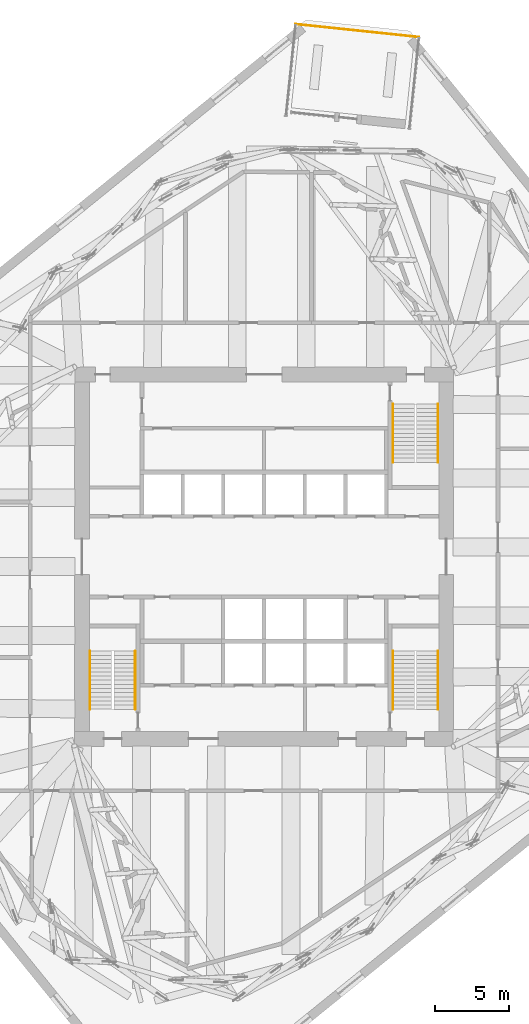
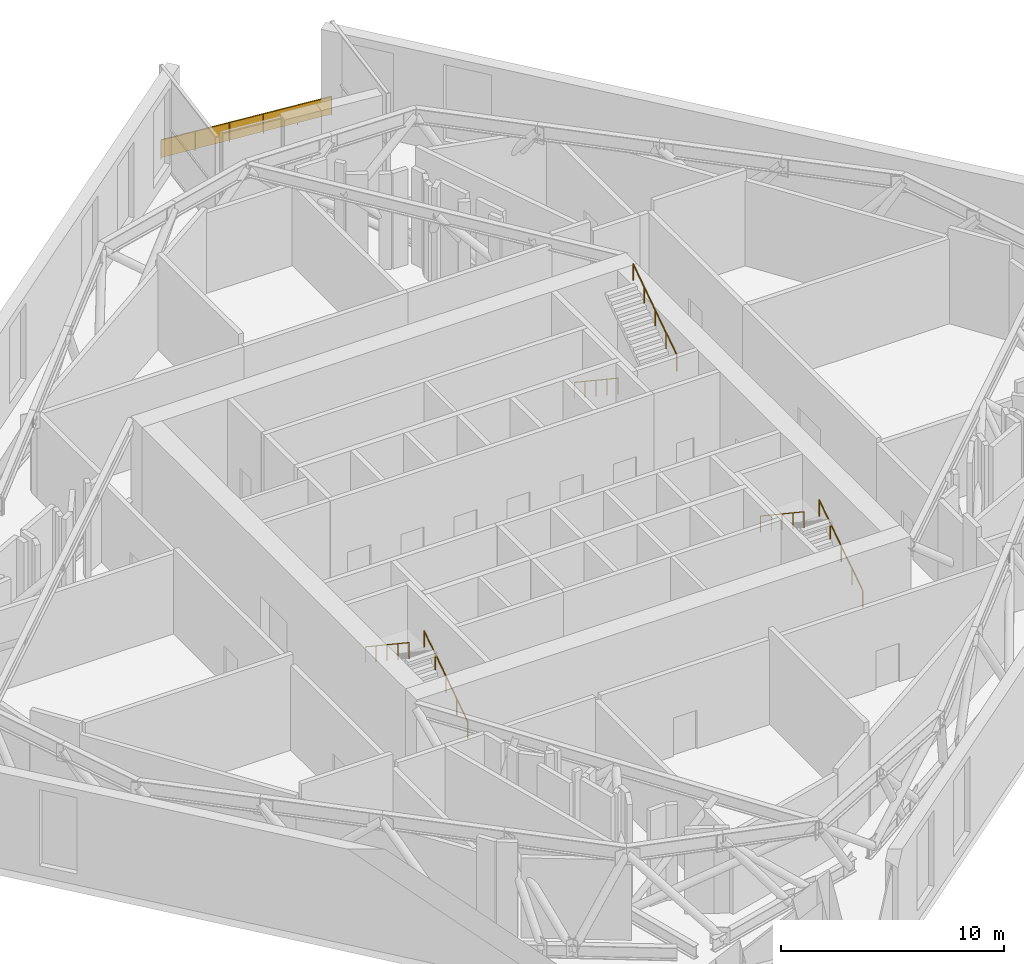
# One storey, part 16 of 17: 7 railings.
"""IFC4 building model written with IfcOpenShell, lengths in metres."""

import ifcopenshell
import ifcopenshell.guid

model = None  # the IFC model being written
_history = None  # IfcOwnerHistory: only IFC2X3 demands one
_inside = {}  # id of a spatial element -> (the spatial element, [elements in it])
_under = {}  # id of a project, library or spatial element -> (it, [spatial elements below it])
_declared = {}  # id of a project -> (the project, [libraries it declares])
_typed = {}  # id of a type object -> (the type object, [elements of that type])
_made_of = {}  # id of a material, layer set ... -> (it, [elements and type objects made of it])


def new_model(schema):
    """Start an empty IFC model of exactly this schema.

    Asked for "IFC4X3", IfcOpenShell would pick the latest addendum, in which some entities
    have other attributes; the version numbers below select the first issue.
    IFC2X3 requires an IfcOwnerHistory on every rooted entity: one is made here for all.
    """
    global model, _history
    if schema == "IFC4X3":
        model = ifcopenshell.file(schema_version=(4, 3, 0, 0))
    else:
        model = ifcopenshell.file(schema=schema)
    _inside.clear()
    _under.clear()
    _declared.clear()
    _typed.clear()
    _made_of.clear()
    _history = None
    if model.schema == "IFC2X3":
        org = make("IfcOrganization", Name="unknown")
        user = make(
            "IfcPersonAndOrganization",
            ThePerson=make("IfcPerson", FamilyName="unknown"),
            TheOrganization=org,
        )
        app = make(
            "IfcApplication",
            ApplicationDeveloper=org,
            Version="unknown",
            ApplicationFullName="unknown",
            ApplicationIdentifier="unknown",
        )
        _history = make(
            "IfcOwnerHistory",
            OwningUser=user,
            OwningApplication=app,
            ChangeAction="ADDED",
            CreationDate=0,
        )
    return model


def make(cls, **values):
    """One entity of the class cls with the attributes given. An attribute that is None is left unset."""
    return model.create_entity(
        cls, **{name: value for name, value in values.items() if value is not None}
    )


def rooted(cls, **values):
    """An entity with a GlobalId (a new one), such as an element, a storey or a relation."""
    return make(cls, GlobalId=ifcopenshell.guid.new(), OwnerHistory=_history, **values)


def si_unit(unit_type, name, prefix=None):
    """IfcSIUnit, for example si_unit("LENGTHUNIT", "METRE", prefix="MILLI")."""
    return make("IfcSIUnit", UnitType=unit_type, Prefix=prefix, Name=name)


def assignment(units):
    """IfcUnitAssignment: the units of a project."""
    return None if units is None else make("IfcUnitAssignment", Units=units)


def point(xyz):
    """IfcCartesianPoint."""
    return None if xyz is None else make("IfcCartesianPoint", Coordinates=xyz)


def direction(xyz):
    """IfcDirection."""
    return None if xyz is None else make("IfcDirection", DirectionRatios=xyz)


def frame(location, z_axis=None, x_axis=None):
    """IfcAxis2Placement3D, a coordinate frame: its origin and axes. An axis left out is left unset."""
    return make(
        "IfcAxis2Placement3D",
        Location=point(location),
        Axis=direction(z_axis),
        RefDirection=direction(x_axis),
    )


def frame_2d(location, x_axis=None):
    """IfcAxis2Placement2D, a coordinate frame in the plane: its origin and x axis."""
    return make(
        "IfcAxis2Placement2D", Location=point(location), RefDirection=direction(x_axis)
    )


def origin():
    """The frame at (0, 0, 0) with its axes left unset."""
    return frame((0.0, 0.0, 0.0))


def origin_2d():
    """The frame at (0, 0) in the plane with its x axis left unset."""
    return frame_2d((0.0, 0.0))


def place(relative_to, where):
    """IfcLocalPlacement: puts the frame where relative to a parent placement (None: the world)."""
    return make(
        "IfcLocalPlacement", PlacementRelTo=relative_to, RelativePlacement=where
    )


def context(
    kind, dimensions, precision=None, world=None, true_north=None, identifier=None
):
    """IfcGeometricRepresentationContext, for example the 3D "Model" context."""
    return make(
        "IfcGeometricRepresentationContext",
        ContextIdentifier=identifier,
        ContextType=kind,
        CoordinateSpaceDimension=dimensions,
        Precision=precision,
        WorldCoordinateSystem=world,
        TrueNorth=true_north,
    )


def subcontext(parent, identifier, kind, view, scale=None):
    """IfcGeometricRepresentationSubContext, for example "Body" below "Model"."""
    return make(
        "IfcGeometricRepresentationSubContext",
        ContextIdentifier=identifier,
        ContextType=kind,
        ParentContext=parent,
        TargetScale=scale,
        TargetView=view,
    )


def project(units=None, contexts=None):
    """IfcProject with its units and contexts."""
    return rooted(
        "IfcProject",
        Name="project",
        RepresentationContexts=contexts,
        UnitsInContext=assignment(units),
    )


def spatial(cls, under=None, at=None, **own):
    """A site, building, storey or space (cls), placed at a placement, below another one or the project."""
    s = rooted(cls, ObjectPlacement=at, **own)
    if under is not None:
        _under.setdefault(under.id(), (under, []))[1].append(s)
    return s


def profile(cls, at=None, kind="AREA", **sizes):
    """A parametric profile (cls). Its sizes go by their IFC names, for example OverallWidth=200.0."""
    return make(cls, ProfileType=kind, Position=at, **sizes)


def rectangle(**sizes):
    """IfcRectangleProfileDef."""
    return profile("IfcRectangleProfileDef", **sizes)


def circle(**sizes):
    """IfcCircleProfileDef."""
    return profile("IfcCircleProfileDef", **sizes)


def extrude(swept, where, along, depth):
    """IfcExtrudedAreaSolid: the profile swept, set in the frame where, extruded along a direction by depth."""
    return make(
        "IfcExtrudedAreaSolid",
        SweptArea=swept,
        Position=where,
        ExtrudedDirection=direction(along),
        Depth=depth,
    )


def shape(context_of_items, identifier, shape_type, items):
    """IfcShapeRepresentation: the items that make up one representation, for example the "Body"."""
    return make(
        "IfcShapeRepresentation",
        ContextOfItems=context_of_items,
        RepresentationIdentifier=identifier,
        RepresentationType=shape_type,
        Items=items,
    )


def material(Name=None, Category=None):
    """IfcMaterial."""
    return make("IfcMaterial", Name=Name, Category=Category)


def made_of(thing, what):
    """Note that an element or type object is made of a material, layer set ...; save() writes the relation."""
    if what is not None:
        _made_of.setdefault(what.id(), (what, []))[1].append(thing)
    return thing


def type_object(cls, material=None, **own):
    """A type object (cls), such as IfcWallType, which elements share."""
    return made_of(rooted(cls, **own), material)


def element(
    cls,
    number,
    at=None,
    inside=None,
    cuts=None,
    type_object=None,
    material=None,
    context=None,
    identifier="Body",
    shape_type=None,
    held_by="IfcProductDefinitionShape",
    body=None,
    shapes=None,
    **own,
):
    """One element of the class cls, such as IfcWall. Its Tag is "e" and its number.

    at: its placement. inside: the storey or other place that contains it. cuts: it is an
    opening in that element (IfcRelVoidsElement). A single representation is given by context,
    identifier, shape_type and body (its items); several are given by shapes. held_by: the class
    of the entity that holds the representations. save() writes the other relations.
    """
    e = rooted(cls, Tag="e%d" % number, ObjectPlacement=at, **own)
    if body is not None:
        shapes = [shape(context, identifier, shape_type, body)]
    if shapes is not None:
        e.Representation = make(held_by, Representations=shapes)
    if inside is not None:
        _inside.setdefault(inside.id(), (inside, []))[1].append(e)
    if cuts is not None:
        rooted(
            "IfcRelVoidsElement", RelatingBuildingElement=cuts, RelatedOpeningElement=e
        )
    if type_object is not None:
        _typed.setdefault(type_object.id(), (type_object, []))[1].append(e)
    return made_of(e, material)


def aggregate(whole, parts):
    """IfcRelAggregates: a whole, such as a stair, and the parts it consists of."""
    return rooted("IfcRelAggregates", RelatingObject=whole, RelatedObjects=parts)


def save(model, path):
    """Write the relations noted so far, then the file.

    IfcRelAggregates (storeys below a building ...), IfcRelContainedInSpatialStructure (elements
    in a storey), IfcRelDefinesByType, IfcRelAssociatesMaterial and IfcRelDeclares: one each for
    every whole, place, type object, material and project.
    """
    for whole, parts in _under.values():
        aggregate(whole, parts)
    for where, things in _inside.values():
        rooted(
            "IfcRelContainedInSpatialStructure",
            RelatedElements=things,
            RelatingStructure=where,
        )
    for kind, things in _typed.values():
        rooted("IfcRelDefinesByType", RelatedObjects=things, RelatingType=kind)
    for what, things in _made_of.values():
        rooted("IfcRelAssociatesMaterial", RelatedObjects=things, RelatingMaterial=what)
    for by, libraries in _declared.values():
        rooted("IfcRelDeclares", RelatingContext=by, RelatedDefinitions=libraries)
    model.write(path)


model = new_model("IFC4")

# Units and contexts
model_context = context("Model", 3, precision=1e-05, world=origin(), true_north=direction((0.0, 1.0)))
body_context = subcontext(model_context, "Body", "Model", "MODEL_VIEW")
ifc_project = project(units=[si_unit("LENGTHUNIT", "METRE"), si_unit("AREAUNIT", "SQUARE_METRE"), si_unit("VOLUMEUNIT", "CUBIC_METRE"), si_unit("PLANEANGLEUNIT", "RADIAN"), si_unit("MASSUNIT", "GRAM", prefix="KILO")], contexts=[model_context])

# Site, building, storey
site_placement = place(None, origin())
site = spatial("IfcSite", under=ifc_project, at=site_placement, CompositionType="ELEMENT")
building_placement = place(site_placement, origin())
building = spatial("IfcBuilding", under=site, at=building_placement, Name="Dilmun Exchange Tower", CompositionType="ELEMENT")
storey_placement = place(building_placement, frame((0.0, 0.0, 183.699951171875)))
storey = spatial("IfcBuildingStorey", under=building, at=storey_placement, Name="L43", CompositionType="ELEMENT", Elevation=183.699951171875)

# Railings
ifc_material = material(Name="Stainless steel", Category="steel")
railing_type_1 = type_object("IfcRailingType", Name="Stair handrail 900", PredefinedType="HANDRAIL", material=ifc_material)
railing_1_placement = place(storey_placement, frame((8.699951171875, 10.300048828125, 0.186767578125)))
element("IfcRailing", 1, at=railing_1_placement, inside=storey, type_object=railing_type_1, Name="L43 ST1 stair handrail 1", PredefinedType="HANDRAIL", context=body_context, shape_type="SweptSolid", body=[
    extrude(circle(Radius=0.02392578125, at=origin_2d()), frame((0.0, 0.0, 0.8759765625), z_axis=(0.0, -0.832066238466, 0.554676279289), x_axis=(1.0, 0.0, 0.0)), (0.0, 0.0, 1.0), 4.71142578125),
    extrude(circle(Radius=0.02099609375, at=origin_2d()), origin(), (0.0, 0.0, 1.0), 0.851806640625),
    extrude(circle(Radius=0.02099609375, at=origin_2d()), frame((0.0, -0.97998046875, 0.6533203125)), (0.0, 0.0, 1.0), 0.851806640625),
    extrude(circle(Radius=0.02099609375, at=origin_2d()), frame((0.0, -1.9599609375, 1.306640625)), (0.0, 0.0, 1.0), 0.851806640625),
    extrude(circle(Radius=0.02099609375, at=origin_2d()), frame((0.0, -2.940185546875, 1.9599609375)), (0.0, 0.0, 1.0), 0.851806640625),
    extrude(circle(Radius=0.02099609375, at=origin_2d()), frame((0.0, -3.920166015625, 2.61328125)), (0.0, 0.0, 1.0), 0.851806640625),
])
for number, where, name in (
    (2, (11.75, 6.3798828125, 2.98681640625), "L43 ST1 stair handrail 2"),
    (3, (-8.699951171875, -10.300048828125, 0.186767578125), "L43 ST2 stair handrail 1"),
):
    element("IfcRailing", number, at=place(storey_placement, frame(where)), inside=storey, type_object=railing_type_1, Name=name, PredefinedType="HANDRAIL", context=body_context, shape_type="SweptSolid", body=[
        extrude(circle(Radius=0.02392578125, at=origin_2d()), frame((0.0, 0.0, 0.8759765625), z_axis=(0.0, 0.832066238466, 0.554676279289), x_axis=(-1.0, 0.0, 0.0)), (0.0, 0.0, 1.0), 4.71142578125),
        extrude(circle(Radius=0.02099609375, at=origin_2d()), origin(), (0.0, 0.0, 1.0), 0.851806640625),
        extrude(circle(Radius=0.02099609375, at=origin_2d()), frame((0.0, 0.97998046875, 0.6533203125)), (0.0, 0.0, 1.0), 0.851806640625),
        extrude(circle(Radius=0.02099609375, at=origin_2d()), frame((0.0, 1.9599609375, 1.306640625)), (0.0, 0.0, 1.0), 0.851806640625),
        extrude(circle(Radius=0.02099609375, at=origin_2d()), frame((0.0, 2.940185546875, 1.9599609375)), (0.0, 0.0, 1.0), 0.851806640625),
        extrude(circle(Radius=0.02099609375, at=origin_2d()), frame((0.0, 3.920166015625, 2.61328125)), (0.0, 0.0, 1.0), 0.851806640625),
    ])
railing_2_placement = place(storey_placement, frame((-11.75, -6.3798828125, 2.98681640625)))
element("IfcRailing", 4, at=railing_2_placement, inside=storey, type_object=railing_type_1, Name="L43 ST2 stair handrail 2", PredefinedType="HANDRAIL", context=body_context, shape_type="SweptSolid", body=[
    extrude(circle(Radius=0.02392578125, at=origin_2d()), frame((0.0, 0.0, 0.8759765625), z_axis=(0.0, -0.832066238466, 0.554676279289), x_axis=(1.0, 0.0, 0.0)), (0.0, 0.0, 1.0), 4.71142578125),
    extrude(circle(Radius=0.02099609375, at=origin_2d()), origin(), (0.0, 0.0, 1.0), 0.851806640625),
    extrude(circle(Radius=0.02099609375, at=origin_2d()), frame((0.0, -0.97998046875, 0.6533203125)), (0.0, 0.0, 1.0), 0.851806640625),
    extrude(circle(Radius=0.02099609375, at=origin_2d()), frame((0.0, -1.9599609375, 1.306640625)), (0.0, 0.0, 1.0), 0.851806640625),
    extrude(circle(Radius=0.02099609375, at=origin_2d()), frame((0.0, -2.940185546875, 1.9599609375)), (0.0, 0.0, 1.0), 0.851806640625),
    extrude(circle(Radius=0.02099609375, at=origin_2d()), frame((0.0, -3.920166015625, 2.61328125)), (0.0, 0.0, 1.0), 0.851806640625),
])
railing_3_placement = place(storey_placement, frame((11.75, -10.300048828125, 0.186767578125)))
element("IfcRailing", 5, at=railing_3_placement, inside=storey, type_object=railing_type_1, Name="L43 ST3 stair handrail 1", PredefinedType="HANDRAIL", context=body_context, shape_type="SweptSolid", body=[
    extrude(circle(Radius=0.02392578125, at=origin_2d()), frame((0.0, 0.0, 0.8759765625), z_axis=(0.0, 0.832066238466, 0.554676279289), x_axis=(-1.0, 0.0, 0.0)), (0.0, 0.0, 1.0), 4.71142578125),
    extrude(circle(Radius=0.02099609375, at=origin_2d()), origin(), (0.0, 0.0, 1.0), 0.851806640625),
    extrude(circle(Radius=0.02099609375, at=origin_2d()), frame((0.0, 0.97998046875, 0.6533203125)), (0.0, 0.0, 1.0), 0.851806640625),
    extrude(circle(Radius=0.02099609375, at=origin_2d()), frame((0.0, 1.9599609375, 1.306640625)), (0.0, 0.0, 1.0), 0.851806640625),
    extrude(circle(Radius=0.02099609375, at=origin_2d()), frame((0.0, 2.940185546875, 1.9599609375)), (0.0, 0.0, 1.0), 0.851806640625),
    extrude(circle(Radius=0.02099609375, at=origin_2d()), frame((0.0, 3.920166015625, 2.61328125)), (0.0, 0.0, 1.0), 0.851806640625),
])
railing_4_placement = place(storey_placement, frame((8.699951171875, -6.3798828125, 2.98681640625)))
element("IfcRailing", 6, at=railing_4_placement, inside=storey, type_object=railing_type_1, Name="L43 ST3 stair handrail 2", PredefinedType="HANDRAIL", context=body_context, shape_type="SweptSolid", body=[
    extrude(circle(Radius=0.02392578125, at=origin_2d()), frame((0.0, 0.0, 0.8759765625), z_axis=(0.0, -0.832066238466, 0.554676279289), x_axis=(1.0, 0.0, 0.0)), (0.0, 0.0, 1.0), 4.71142578125),
    extrude(circle(Radius=0.02099609375, at=origin_2d()), origin(), (0.0, 0.0, 1.0), 0.851806640625),
    extrude(circle(Radius=0.02099609375, at=origin_2d()), frame((0.0, -0.97998046875, 0.6533203125)), (0.0, 0.0, 1.0), 0.851806640625),
    extrude(circle(Radius=0.02099609375, at=origin_2d()), frame((0.0, -1.9599609375, 1.306640625)), (0.0, 0.0, 1.0), 0.851806640625),
    extrude(circle(Radius=0.02099609375, at=origin_2d()), frame((0.0, -2.940185546875, 1.9599609375)), (0.0, 0.0, 1.0), 0.851806640625),
    extrude(circle(Radius=0.02099609375, at=origin_2d()), frame((0.0, -3.920166015625, 2.61328125)), (0.0, 0.0, 1.0), 0.851806640625),
])
railing_type_2 = type_object("IfcRailingType", Name="Terrace guard 1100 stainless steel", PredefinedType="GUARDRAIL", material=ifc_material)
railing_5_placement = place(storey_placement, frame((2.127685546875, 35.96630859375, 0.0)))
element("IfcRailing", 7, at=railing_5_placement, inside=storey, type_object=railing_type_2, Name="Terrace guard 1", PredefinedType="GUARDRAIL", context=body_context, shape_type="SweptSolid", body=[
    extrude(circle(Radius=0.02392578125, at=origin_2d()), frame((0.0, 0.0, 1.076171875), z_axis=(0.9945222057, -0.104525510617, 0.0), x_axis=(0.104525510617, 0.9945222057, 0.0)), (0.0, 0.0, 1.0), 8.378173828125),
    extrude(rectangle(XDim=0.011962890625, YDim=0.951904296875, at=origin_2d()), frame((0.0, 0.0, 0.576171875), z_axis=(0.9945222057, -0.104525510617, 0.0), x_axis=(0.104525510617, 0.9945222057, 0.0)), (0.0, 0.0, 1.0), 8.378173828125),
    extrude(circle(Radius=0.02099609375, at=origin_2d()), origin(), (0.0, 0.0, 1.0), 1.052001953125),
    extrude(circle(Radius=0.02099609375, at=origin_2d()), frame((1.66650390625, -0.175048828125, 0.0)), (0.0, 0.0, 1.0), 1.052001953125),
    extrude(circle(Radius=0.02099609375, at=origin_2d()), frame((3.3330078125, -0.350341796875, 0.0)), (0.0, 0.0, 1.0), 1.052001953125),
    extrude(circle(Radius=0.02099609375, at=origin_2d()), frame((4.999267578125, -0.525390625, 0.0)), (0.0, 0.0, 1.0), 1.052001953125),
    extrude(circle(Radius=0.02099609375, at=origin_2d()), frame((6.665771484375, -0.70068359375, 0.0)), (0.0, 0.0, 1.0), 1.052001953125),
    extrude(circle(Radius=0.02099609375, at=origin_2d()), frame((8.332275390625, -0.875732421875, 0.0)), (0.0, 0.0, 1.0), 1.052001953125),
])

save(model, "model.ifc")
